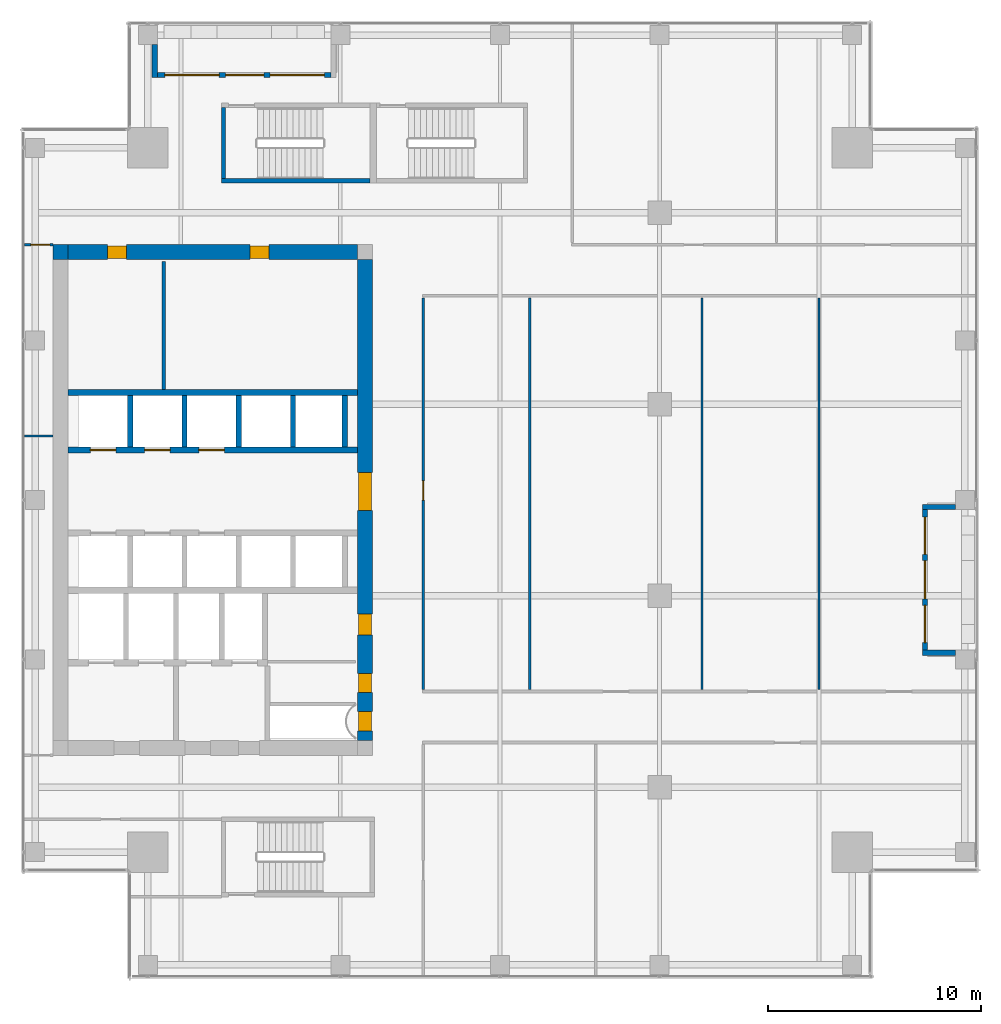
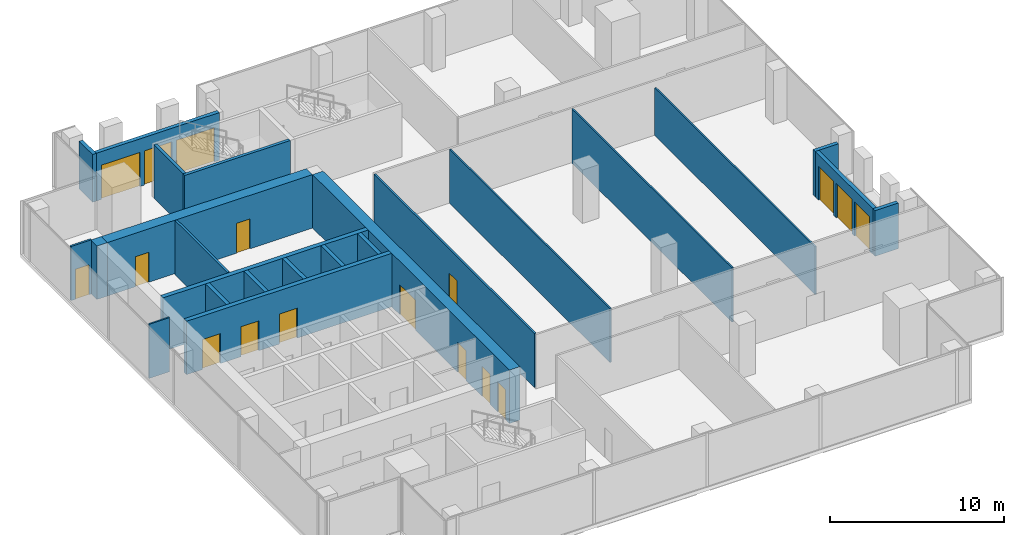
# One storey, part 31 of 35: 24 walls, 13 doors, 4 windows, 17 openings.
"""IFC4 building model written with IfcOpenShell, lengths in metres."""

from ifc_helpers import new_model, si_unit, direction, frame, frame_2d, origin, place, context, subcontext, project, spatial, rectangle, extrude, source, transform, mapped, material, layer, layer_set, type_object, element, fill, save


model = new_model("IFC4")

# Units and contexts
model_context = context("Model", 3, precision=1e-05, world=origin(), true_north=direction((0.0, 1.0)))
body_context = subcontext(model_context, "Body", "Model", "MODEL_VIEW")
ifc_project = project(units=[si_unit("LENGTHUNIT", "METRE"), si_unit("AREAUNIT", "SQUARE_METRE"), si_unit("VOLUMEUNIT", "CUBIC_METRE"), si_unit("PLANEANGLEUNIT", "RADIAN"), si_unit("MASSUNIT", "GRAM", prefix="KILO")], contexts=[model_context])

# Site, building, storey
site_placement = place(None, origin())
site = spatial("IfcSite", under=ifc_project, at=site_placement, CompositionType="ELEMENT")
building_placement = place(site_placement, origin())
building = spatial("IfcBuilding", under=site, at=building_placement, Name="Khomas Fold Tower", CompositionType="ELEMENT")
storey_placement = place(building_placement, frame((0.0, 0.0, 262.199951171875)))
storey = spatial("IfcBuildingStorey", under=building, at=storey_placement, Name="L59", CompositionType="ELEMENT", Elevation=262.199951171875)

# Walls
ifc_material_1 = material(Name="Concrete C50/60", Category="concrete")
ifc_layer_1 = layer(ifc_material_1, 0.199951171875)
ifc_layer_set_1 = layer_set([ifc_layer_1], Name="Concrete C50/60")
wall_type_1 = type_object("IfcWallType", Name="Stair wall 200", PredefinedType="SHEAR", material=ifc_layer_set_1)
shared_shape_1 = source(origin(), body_context, "Body", "SweptSolid", [
    extrude(rectangle(XDim=7.0, YDim=0.199951171875, at=frame_2d((3.5, 0.0))), origin(), (0.0, 0.0, 1.0), 3.75),
])
wall_1_placement = place(storey_placement, frame((13.89990234375, 42.0, 0.0), z_axis=(0.0, 0.0, 1.0), x_axis=(1.0, 0.0, 0.0)))
element("IfcWall", 1, at=wall_1_placement, inside=storey, type_object=wall_type_1, Name="Stair wall SW-ST1-S", PredefinedType="SHEAR", context=body_context, shape_type="MappedRepresentation", body=[
    mapped(shared_shape_1, transform((0.0, 0.0, 0.0))),
])
shared_shape_2 = source(origin(), body_context, "Body", "SweptSolid", [
    extrude(rectangle(XDim=3.349853515625, YDim=0.199951171875, at=frame_2d((1.6748046875, 0.0))), origin(), (0.0, 0.0, 1.0), 3.75),
])
wall_2_placement = place(storey_placement, frame((14.0, 42.10009765625, 0.0), z_axis=(0.0, 0.0, 1.0), x_axis=(0.0, 1.0, 0.0)))
element("IfcWall", 2, at=wall_2_placement, inside=storey, type_object=wall_type_1, Name="Stair wall SW-ST1-W", PredefinedType="SHEAR", context=body_context, shape_type="MappedRepresentation", body=[
    mapped(shared_shape_2, transform((0.0, 0.0, 0.0))),
])
ifc_material_2 = material(Name="Concrete C50/60", Category="concrete")
ifc_layer_2 = layer(ifc_material_2, 0.25)
ifc_layer_set_2 = layer_set([ifc_layer_2], Name="Concrete C50/60")
wall_type_2 = type_object("IfcWallType", Name="Shaft wall 250", PredefinedType="STANDARD", material=ifc_layer_set_2)
shared_shape_3 = source(origin(), body_context, "Body", "SweptSolid", [
    extrude(rectangle(XDim=2.39990234375, YDim=0.25, at=frame_2d((1.199951171875, 0.0))), origin(), (0.0, 0.0, 1.0), 3.75),
])
for number, where, z_axis, x_axis, name in (
    (3, (17.27490234375, 29.5, 0.0), (0.0, 0.0, 1.0), (0.0, 1.0, 0.0), "Core wall SW-HRN-MR-P1"),
    (4, (19.699951171875, 29.5, 0.0), (0.0, 0.0, 1.0), (0.0, 1.0, 0.0), "Core wall SW-HRN-MR-PE"),
    (5, (9.625, 29.5, 0.0), (0.0, 0.0, 1.0), (0.0, 1.0, 0.0), "Core wall SW-HRN-P1"),
    (6, (12.175048828125, 29.5, 0.0), (0.0, 0.0, 1.0), (0.0, 1.0, 0.0), "Core wall SW-HRN-P2"),
    (7, (14.72509765625, 29.5, 0.0), (0.0, 0.0, 1.0), (0.0, 1.0, 0.0), "Core wall SW-HRN-PE"),
):
    element("IfcWall", number, at=place(storey_placement, frame(where, z_axis=z_axis, x_axis=x_axis)), inside=storey, type_object=wall_type_2, Name=name, PredefinedType="STANDARD", context=body_context, shape_type="MappedRepresentation", body=[
        mapped(shared_shape_3, transform((0.0, 0.0, 0.0))),
    ])

# Wall, openings, doors
ifc_material_3 = material(Name="Concrete C60/75", Category="concrete")
ifc_layer_3 = layer(ifc_material_3, 0.699951171875)
ifc_layer_set_3 = layer_set([ifc_layer_3], Name="Concrete C60/75")
wall_type_3 = type_object("IfcWallType", Name="Core wall 700", PredefinedType="SHEAR", material=ifc_layer_set_3)
shared_shape_4 = source(origin(), body_context, "Body", "SweptSolid", [
    extrude(rectangle(XDim=13.60009765625, YDim=0.699951171875, at=frame_2d((6.800048828125, 0.0))), origin(), (0.0, 0.0, 1.0), 3.75),
])
wall_3_placement = place(storey_placement, frame((6.699951171875, 38.64990234375, 0.0), z_axis=(0.0, 0.0, 1.0), x_axis=(1.0, 0.0, 0.0)))
wall_3 = element("IfcWall", 8, at=wall_3_placement, inside=storey, type_object=wall_type_3, Name="Core wall CW-U-N-L49", PredefinedType="SHEAR", context=body_context, shape_type="MappedRepresentation", body=[
    mapped(shared_shape_4, transform((0.0, 0.0, 0.0))),
])
shared_shape_5 = source(origin(), body_context, "Body", "SweptSolid", [
    extrude(rectangle(XDim=0.89990234375, YDim=2.10009765625, at=frame_2d((0.449951171875, 1.050048828125))), frame((0.0, 0.35986328125, 0.0), z_axis=(0.0, -1.0, 0.0), x_axis=(1.0, 0.0, 0.0)), (0.0, 0.0, 1.0), 0.719970703125),
])
opening_1_placement = place(wall_3_placement, frame((1.85009765625, 0.0, 0.0)))
opening_1 = element("IfcOpeningElement", 9, at=opening_1_placement, cuts=wall_3, Name="Opening 0003", PredefinedType="OPENING", context=body_context, shape_type="MappedRepresentation", body=[
    mapped(shared_shape_5, transform((0.0, 0.0, 0.0))),
])
opening_2_placement = place(wall_3_placement, frame((8.550048828125, 0.0, 0.0)))
opening_2 = element("IfcOpeningElement", 10, at=opening_2_placement, cuts=wall_3, Name="Opening 0008", PredefinedType="OPENING", context=body_context, shape_type="MappedRepresentation", body=[
    mapped(shared_shape_5, transform((0.0, 0.0, 0.0))),
])
ifc_material_4 = material(Name="Steel door leaf", Category="steel")
door_type_1 = type_object("IfcDoorType", Name="Plant room door 900x2100 right-hand", OperationType="SINGLE_SWING_RIGHT", PredefinedType="DOOR", material=ifc_material_4)
shared_shape_6 = source(origin(), body_context, "Body", "SweptSolid", [
    extrude(rectangle(XDim=0.89990234375, YDim=2.10009765625, at=frame_2d((0.449951171875, 1.050048828125))), frame((0.0, 0.2998046875, 0.0), z_axis=(0.0, -1.0, 0.0), x_axis=(1.0, 0.0, 0.0)), (0.0, 0.0, 1.0), 0.599853515625),
])
door_1_placement = place(opening_1_placement, origin())
door_1 = element("IfcDoor", 11, at=door_1_placement, inside=storey, type_object=door_type_1, Name="Plant room door", OperationType="SINGLE_SWING_RIGHT", OverallHeight=2.10009765625, OverallWidth=0.89990234375, PredefinedType="DOOR", context=body_context, shape_type="MappedRepresentation", body=[
    mapped(shared_shape_6, transform((0.0, 0.0, 0.0))),
])
fill(opening_1, door_1)
ifc_material_5 = material(Name="Timber door leaf", Category="wood")
door_type_2 = type_object("IfcDoorType", Name="Door 900x2100 right-hand", OperationType="SINGLE_SWING_RIGHT", PredefinedType="DOOR", material=ifc_material_5)
door_2_placement = place(opening_2_placement, origin())
door_2 = element("IfcDoor", 12, at=door_2_placement, inside=storey, type_object=door_type_2, Name="Door", OperationType="SINGLE_SWING_RIGHT", OverallHeight=2.10009765625, OverallWidth=0.89990234375, PredefinedType="DOOR", context=body_context, shape_type="MappedRepresentation", body=[
    mapped(shared_shape_6, transform((0.0, 0.0, 0.0))),
])
fill(opening_2, door_2)

# Wall
ifc_material_6 = material(Name="Concrete C60/75", Category="concrete")
ifc_layer_4 = layer(ifc_material_6, 0.699951171875)
ifc_layer_set_4 = layer_set([ifc_layer_4], Name="Concrete C60/75")
wall_type_4 = type_object("IfcWallType", Name="Core corner wall 700", PredefinedType="SHEAR", material=ifc_layer_set_4)
shared_shape_7 = source(origin(), body_context, "Body", "SweptSolid", [
    extrude(rectangle(XDim=0.699951171875, YDim=0.699951171875, at=frame_2d((0.35009765625, 0.0))), origin(), (0.0, 0.0, 1.0), 3.75),
])
wall_4_placement = place(storey_placement, frame((6.0, 38.64990234375, 0.0), z_axis=(0.0, 0.0, 1.0), x_axis=(1.0, 0.0, 0.0)))
element("IfcWall", 13, at=wall_4_placement, inside=storey, type_object=wall_type_4, Name="Core wall CW-U-NW-L49", PredefinedType="SHEAR", context=body_context, shape_type="MappedRepresentation", body=[
    mapped(shared_shape_7, transform((0.0, 0.0, 0.0))),
])

# Wall, openings, doors
shared_shape_8 = source(origin(), body_context, "Body", "SweptSolid", [
    extrude(rectangle(XDim=22.60009765625, YDim=0.699951171875, at=frame_2d((11.300048828125, 0.0))), origin(), (0.0, 0.0, 1.0), 3.75),
])
wall_5_placement = place(storey_placement, frame((20.64990234375, 15.699951171875, 0.0), z_axis=(0.0, 0.0, 1.0), x_axis=(0.0, 1.0, 0.0)))
wall_5 = element("IfcWall", 14, at=wall_5_placement, inside=storey, type_object=wall_type_3, Name="Core wall CW-U-E-L49", PredefinedType="SHEAR", context=body_context, shape_type="MappedRepresentation", body=[
    mapped(shared_shape_8, transform((0.0, 0.0, 0.0))),
])
shared_shape_9 = source(origin(), body_context, "Body", "SweptSolid", [
    extrude(rectangle(XDim=1.800048828125, YDim=2.10009765625, at=frame_2d((0.89990234375, 1.050048828125))), frame((0.0, 0.35986328125, 0.0), z_axis=(0.0, -1.0, 0.0), x_axis=(1.0, 0.0, 0.0)), (0.0, 0.0, 1.0), 0.719970703125),
])
opening_3_placement = place(wall_5_placement, frame((10.800048828125, 0.0, 0.0)))
opening_3 = element("IfcOpeningElement", 15, at=opening_3_placement, cuts=wall_5, Name="Opening 0015", PredefinedType="OPENING", context=body_context, shape_type="MappedRepresentation", body=[
    mapped(shared_shape_9, transform((0.0, 0.0, 0.0))),
])
opening_4_placement = place(wall_5_placement, frame((0.449951171875, 0.0, 0.0)))
opening_4 = element("IfcOpeningElement", 16, at=opening_4_placement, cuts=wall_5, Name="Opening 0003", PredefinedType="OPENING", context=body_context, shape_type="MappedRepresentation", body=[
    mapped(shared_shape_5, transform((0.0, 0.0, 0.0))),
])
opening_5_placement = place(wall_5_placement, frame((2.25, 0.0, 0.0)))
opening_5 = element("IfcOpeningElement", 17, at=opening_5_placement, cuts=wall_5, Name="Opening 0008", PredefinedType="OPENING", context=body_context, shape_type="MappedRepresentation", body=[
    mapped(shared_shape_5, transform((0.0, 0.0, 0.0))),
])
shared_shape_10 = source(origin(), body_context, "Body", "SweptSolid", [
    extrude(rectangle(XDim=1.0, YDim=2.10009765625, at=frame_2d((0.5, 1.050048828125))), frame((0.0, 0.35986328125, 0.0), z_axis=(0.0, -1.0, 0.0), x_axis=(1.0, 0.0, 0.0)), (0.0, 0.0, 1.0), 0.719970703125),
])
opening_6_placement = place(wall_5_placement, frame((4.949951171875, 0.0, 0.0)))
opening_6 = element("IfcOpeningElement", 18, at=opening_6_placement, cuts=wall_5, Name="Opening 0006", PredefinedType="OPENING", context=body_context, shape_type="MappedRepresentation", body=[
    mapped(shared_shape_10, transform((0.0, 0.0, 0.0))),
])
ifc_material_7 = material(Name="Steel door leaf", Category="steel")
door_type_3 = type_object("IfcDoorType", Name="Lobby door 1800x2100", OperationType="DOUBLE_DOOR_SINGLE_SWING", PredefinedType="DOOR", material=ifc_material_7)
shared_shape_11 = source(origin(), body_context, "Body", "SweptSolid", [
    extrude(rectangle(XDim=1.800048828125, YDim=2.10009765625, at=frame_2d((0.89990234375, 1.050048828125))), frame((0.0, 0.2998046875, 0.0), z_axis=(0.0, -1.0, 0.0), x_axis=(1.0, 0.0, 0.0)), (0.0, 0.0, 1.0), 0.599853515625),
])
door_3_placement = place(opening_3_placement, origin())
door_3 = element("IfcDoor", 19, at=door_3_placement, inside=storey, type_object=door_type_3, Name="Lobby door", OperationType="DOUBLE_DOOR_SINGLE_SWING", OverallHeight=2.10009765625, OverallWidth=1.800048828125, PredefinedType="DOOR", context=body_context, shape_type="MappedRepresentation", body=[
    mapped(shared_shape_11, transform((0.0, 0.0, 0.0))),
])
fill(opening_3, door_3)
door_4_placement = place(opening_4_placement, origin())
door_4 = element("IfcDoor", 20, at=door_4_placement, inside=storey, type_object=door_type_1, Name="Plant room door", OperationType="SINGLE_SWING_RIGHT", OverallHeight=2.10009765625, OverallWidth=0.89990234375, PredefinedType="DOOR", context=body_context, shape_type="MappedRepresentation", body=[
    mapped(shared_shape_6, transform((0.0, 0.0, 0.0))),
])
fill(opening_4, door_4)
door_5_placement = place(opening_5_placement, origin())
door_5 = element("IfcDoor", 21, at=door_5_placement, inside=storey, type_object=door_type_2, Name="Door", OperationType="SINGLE_SWING_RIGHT", OverallHeight=2.10009765625, OverallWidth=0.89990234375, PredefinedType="DOOR", context=body_context, shape_type="MappedRepresentation", body=[
    mapped(shared_shape_6, transform((0.0, 0.0, 0.0))),
])
fill(opening_5, door_5)
ifc_material_8 = material(Name="Timber door leaf", Category="wood")
door_type_4 = type_object("IfcDoorType", Name="WC door 1000x2100 right-hand", OperationType="SINGLE_SWING_RIGHT", PredefinedType="DOOR", material=ifc_material_8)
shared_shape_12 = source(origin(), body_context, "Body", "SweptSolid", [
    extrude(rectangle(XDim=1.0, YDim=2.10009765625, at=frame_2d((0.5, 1.050048828125))), frame((0.0, 0.2998046875, 0.0), z_axis=(0.0, -1.0, 0.0), x_axis=(1.0, 0.0, 0.0)), (0.0, 0.0, 1.0), 0.599853515625),
])
door_6_placement = place(opening_6_placement, origin())
door_6 = element("IfcDoor", 22, at=door_6_placement, inside=storey, type_object=door_type_4, Name="WC door", OperationType="SINGLE_SWING_RIGHT", OverallHeight=2.10009765625, OverallWidth=1.0, PredefinedType="DOOR", context=body_context, shape_type="MappedRepresentation", body=[
    mapped(shared_shape_12, transform((0.0, 0.0, 0.0))),
])
fill(opening_6, door_6)

# Wall
ifc_material_9 = material(Name="Concrete C50/60", Category="concrete")
ifc_layer_5 = layer(ifc_material_9, 0.300048828125)
ifc_layer_set_5 = layer_set([ifc_layer_5], Name="Concrete C50/60")
wall_type_5 = type_object("IfcWallType", Name="Shaft wall 300", PredefinedType="STANDARD", material=ifc_layer_set_5)
shared_shape_13 = source(origin(), body_context, "Body", "SweptSolid", [
    extrude(rectangle(XDim=13.60009765625, YDim=0.300048828125, at=frame_2d((6.800048828125, 0.0))), origin(), (0.0, 0.0, 1.0), 3.75),
])
wall_6_placement = place(storey_placement, frame((6.699951171875, 32.050048828125, 0.0), z_axis=(0.0, 0.0, 1.0), x_axis=(1.0, 0.0, 0.0)))
element("IfcWall", 23, at=wall_6_placement, inside=storey, type_object=wall_type_5, Name="Core wall SW-HRN-B", PredefinedType="STANDARD", context=body_context, shape_type="MappedRepresentation", body=[
    mapped(shared_shape_13, transform((0.0, 0.0, 0.0))),
])

# Wall, openings, doors
wall_7_placement = place(storey_placement, frame((6.699951171875, 29.35009765625, 0.0), z_axis=(0.0, 0.0, 1.0), x_axis=(1.0, 0.0, 0.0)))
wall_7 = element("IfcWall", 24, at=wall_7_placement, inside=storey, type_object=wall_type_5, Name="Core wall SW-HRN-F", PredefinedType="STANDARD", context=body_context, shape_type="MappedRepresentation", body=[
    mapped(shared_shape_13, transform((0.0, 0.0, 0.0))),
])
shared_shape_14 = source(origin(), body_context, "Body", "SweptSolid", [
    extrude(rectangle(XDim=1.199951171875, YDim=2.10009765625, at=frame_2d((0.60009765625, 1.050048828125))), frame((0.0, 0.159912109375, 0.0), z_axis=(0.0, -1.0, 0.0), x_axis=(1.0, 0.0, 0.0)), (0.0, 0.0, 1.0), 0.320068359375),
])
opening_7_placement = place(wall_7_placement, frame((1.050048828125, 0.0, 0.0)))
opening_7 = element("IfcOpeningElement", 25, at=opening_7_placement, cuts=wall_7, Name="Opening LD-HR4", PredefinedType="OPENING", context=body_context, shape_type="MappedRepresentation", body=[
    mapped(shared_shape_14, transform((0.0, 0.0, 0.0))),
])
opening_8_placement = place(wall_7_placement, frame((3.60009765625, 0.0, 0.0)))
opening_8 = element("IfcOpeningElement", 26, at=opening_8_placement, cuts=wall_7, Name="Opening LD-HR5", PredefinedType="OPENING", context=body_context, shape_type="MappedRepresentation", body=[
    mapped(shared_shape_14, transform((0.0, 0.0, 0.0))),
])
opening_9_placement = place(wall_7_placement, frame((6.14990234375, 0.0, 0.0)))
opening_9 = element("IfcOpeningElement", 27, at=opening_9_placement, cuts=wall_7, Name="Opening LD-HR6", PredefinedType="OPENING", context=body_context, shape_type="MappedRepresentation", body=[
    mapped(shared_shape_14, transform((0.0, 0.0, 0.0))),
])
ifc_material_10 = material(Name="Steel door leaf", Category="steel")
door_type_5 = type_object("IfcDoorType", Name="Landing door 1200x2100", OperationType="DOUBLE_DOOR_SLIDING", PredefinedType="DOOR", material=ifc_material_10)
shared_shape_15 = source(origin(), body_context, "Body", "SweptSolid", [
    extrude(rectangle(XDim=1.199951171875, YDim=2.10009765625, at=frame_2d((0.60009765625, 1.050048828125))), frame((0.0, 0.02490234375, 0.0), z_axis=(0.0, -1.0, 0.0), x_axis=(1.0, 0.0, 0.0)), (0.0, 0.0, 1.0), 0.050048828125),
])
door_7_placement = place(opening_7_placement, origin())
door_7 = element("IfcDoor", 28, at=door_7_placement, inside=storey, type_object=door_type_5, Name="Lift landing door", OperationType="DOUBLE_DOOR_SLIDING", OverallHeight=2.10009765625, OverallWidth=1.199951171875, PredefinedType="DOOR", context=body_context, shape_type="MappedRepresentation", body=[
    mapped(shared_shape_15, transform((0.0, 0.0, 0.0))),
])
fill(opening_7, door_7)
door_8_placement = place(opening_8_placement, origin())
door_8 = element("IfcDoor", 29, at=door_8_placement, inside=storey, type_object=door_type_5, Name="Lift landing door", OperationType="DOUBLE_DOOR_SLIDING", OverallHeight=2.10009765625, OverallWidth=1.199951171875, PredefinedType="DOOR", context=body_context, shape_type="MappedRepresentation", body=[
    mapped(shared_shape_15, transform((0.0, 0.0, 0.0))),
])
fill(opening_8, door_8)
door_9_placement = place(opening_9_placement, origin())
door_9 = element("IfcDoor", 30, at=door_9_placement, inside=storey, type_object=door_type_5, Name="Lift landing door", OperationType="DOUBLE_DOOR_SLIDING", OverallHeight=2.10009765625, OverallWidth=1.199951171875, PredefinedType="DOOR", context=body_context, shape_type="MappedRepresentation", body=[
    mapped(shared_shape_15, transform((0.0, 0.0, 0.0))),
])
fill(opening_9, door_9)

# Wall, openings, door, windows
ifc_material_11 = material(Name="Natural stone", Category="masonry")
ifc_layer_6 = layer(ifc_material_11, 0.0400390625)
ifc_material_12 = material(Name="Mineral wool insulation", Category="insulation")
ifc_layer_7 = layer(ifc_material_12, 0.10009765625)
ifc_material_13 = material(Name="Masonry", Category="masonry")
ifc_layer_8 = layer(ifc_material_13, 0.110107421875)
ifc_layer_set_6 = layer_set([ifc_layer_6, ifc_layer_7, ifc_layer_8], Name="Stone-faced insulated masonry")
wall_type_6 = type_object("IfcWallType", Name="BL-Balcony wall", PredefinedType="SOLIDWALL", material=ifc_layer_set_6)
shared_shape_16 = source(origin(), body_context, "Body", "SweptSolid", [
    extrude(rectangle(XDim=8.150146484375, YDim=0.25, at=frame_2d((4.0751953125, 0.0))), origin(), (0.0, 0.0, 1.0), 3.35009765625),
])
wall_8_placement = place(storey_placement, frame((10.89990234375, 46.97509765625, 0.0), z_axis=(0.0, 0.0, 1.0), x_axis=(1.0, 0.0, 0.0)))
wall_8 = element("IfcWall", 31, at=wall_8_placement, inside=storey, type_object=wall_type_6, Name="Balcony wall BAL-L59-N1", PredefinedType="SOLIDWALL", context=body_context, shape_type="MappedRepresentation", body=[
    mapped(shared_shape_16, transform((0.0, 0.0, 0.0))),
])
shared_shape_17 = source(origin(), body_context, "Body", "SweptSolid", [
    extrude(rectangle(XDim=2.550048828125, YDim=2.39990234375, at=frame_2d((1.27490234375, 1.199951171875))), frame((0.0, 0.135009765625, 0.0), z_axis=(0.0, -1.0, 0.0), x_axis=(1.0, 0.0, 0.0)), (0.0, 0.0, 1.0), 0.27001953125),
])
opening_10_placement = place(wall_8_placement, frame((0.35009765625, 0.0, 0.0)))
opening_10 = element("IfcOpeningElement", 32, at=opening_10_placement, cuts=wall_8, Name="Opening BL-W4", PredefinedType="OPENING", context=body_context, shape_type="MappedRepresentation", body=[
    mapped(shared_shape_17, transform((0.0, 0.0, 0.0))),
])
opening_11_placement = place(wall_8_placement, frame((5.300048828125, 0.0, 0.0)))
opening_11 = element("IfcOpeningElement", 33, at=opening_11_placement, cuts=wall_8, Name="Opening BL-W4", PredefinedType="OPENING", context=body_context, shape_type="MappedRepresentation", body=[
    mapped(shared_shape_17, transform((0.0, 0.0, 0.0))),
])
shared_shape_18 = source(origin(), body_context, "Body", "SweptSolid", [
    extrude(rectangle(XDim=1.800048828125, YDim=2.39990234375, at=frame_2d((0.89990234375, 1.199951171875))), frame((0.0, 0.135009765625, 0.0), z_axis=(0.0, -1.0, 0.0), x_axis=(1.0, 0.0, 0.0)), (0.0, 0.0, 1.0), 0.27001953125),
])
opening_12_placement = place(wall_8_placement, frame((3.199951171875, 0.0, 0.0)))
opening_12 = element("IfcOpeningElement", 34, at=opening_12_placement, cuts=wall_8, Name="Opening BD592", PredefinedType="OPENING", context=body_context, shape_type="MappedRepresentation", body=[
    mapped(shared_shape_18, transform((0.0, 0.0, 0.0))),
])
ifc_material_14 = material(Name="Aluminium framed double glazing", Category="aluminium")
door_type_6 = type_object("IfcDoorType", Name="BL-Glazed balcony door 1800 x 2400", OperationType="DOUBLE_DOOR_DOUBLE_SWING", PredefinedType="DOOR", material=ifc_material_14)
shared_shape_19 = source(origin(), body_context, "Body", "SweptSolid", [
    extrude(rectangle(XDim=1.800048828125, YDim=2.39990234375, at=frame_2d((0.89990234375, 1.199951171875))), frame((0.0, 0.02490234375, 0.0), z_axis=(0.0, -1.0, 0.0), x_axis=(1.0, 0.0, 0.0)), (0.0, 0.0, 1.0), 0.050048828125),
])
door_10_placement = place(opening_12_placement, origin())
door_10 = element("IfcDoor", 35, at=door_10_placement, inside=storey, type_object=door_type_6, Name="Balcony door BD592", OperationType="DOUBLE_DOOR_DOUBLE_SWING", OverallHeight=2.39990234375, OverallWidth=1.800048828125, PredefinedType="DOOR", context=body_context, shape_type="MappedRepresentation", body=[
    mapped(shared_shape_19, transform((0.0, 0.0, 0.0))),
])
fill(opening_12, door_10)
ifc_material_15 = material(Name="Aluminium framed double glazing", Category="aluminium")
window_type_1 = type_object("IfcWindowType", Name="BL-Fixed glazing 2550 x 2400", PartitioningType="SINGLE_PANEL", PredefinedType="WINDOW", material=ifc_material_15)
shared_shape_20 = source(origin(), body_context, "Body", "SweptSolid", [
    extrude(rectangle(XDim=2.550048828125, YDim=2.39990234375, at=frame_2d((1.27490234375, 1.199951171875))), frame((0.0, 0.030029296875, 0.0), z_axis=(0.0, -1.0, 0.0), x_axis=(1.0, 0.0, 0.0)), (0.0, 0.0, 1.0), 0.06005859375),
])
window_1_placement = place(opening_10_placement, origin())
window_1 = element("IfcWindow", 36, at=window_1_placement, inside=storey, type_object=window_type_1, Name="Balcony glazing BAL-L59-N1-1", OverallHeight=2.39990234375, OverallWidth=2.550048828125, PartitioningType="SINGLE_PANEL", PredefinedType="WINDOW", context=body_context, shape_type="MappedRepresentation", body=[
    mapped(shared_shape_20, transform((0.0, 0.0, 0.0))),
])
fill(opening_10, window_1)
window_2_placement = place(opening_11_placement, origin())
window_2 = element("IfcWindow", 37, at=window_2_placement, inside=storey, type_object=window_type_1, Name="Balcony glazing BAL-L59-N1-2", OverallHeight=2.39990234375, OverallWidth=2.550048828125, PartitioningType="SINGLE_PANEL", PredefinedType="WINDOW", context=body_context, shape_type="MappedRepresentation", body=[
    mapped(shared_shape_20, transform((0.0, 0.0, 0.0))),
])
fill(opening_11, window_2)

# Wall
shared_shape_21 = source(origin(), body_context, "Body", "SweptSolid", [
    extrude(rectangle(XDim=1.5498046875, YDim=0.25, at=frame_2d((0.77490234375, 0.0))), origin(), (0.0, 0.0, 1.0), 3.35009765625),
])
wall_9_placement = place(storey_placement, frame((10.77490234375, 48.39990234375, 0.0), z_axis=(0.0, 0.0, 1.0), x_axis=(0.0, -1.0, 0.0)))
element("IfcWall", 38, at=wall_9_placement, inside=storey, type_object=wall_type_6, Name="Balcony return wall BAL-L59-N1-lo", PredefinedType="SOLIDWALL", context=body_context, shape_type="MappedRepresentation", body=[
    mapped(shared_shape_21, transform((0.0, 0.0, 0.0))),
])

# Wall, openings, door, windows
shared_shape_22 = source(origin(), body_context, "Body", "SweptSolid", [
    extrude(rectangle(XDim=6.60009765625, YDim=0.25, at=frame_2d((3.300048828125, 0.0))), origin(), (0.0, 0.0, 1.0), 3.199951171875),
])
wall_10_placement = place(storey_placement, frame((46.97509765625, 19.949951171875, 0.0), z_axis=(0.0, 0.0, 1.0), x_axis=(0.0, 1.0, 0.0)))
wall_10 = element("IfcWall", 39, at=wall_10_placement, inside=storey, type_object=wall_type_6, Name="Balcony wall BAL-L59-E2", PredefinedType="SOLIDWALL", context=body_context, shape_type="MappedRepresentation", body=[
    mapped(shared_shape_22, transform((0.0, 0.0, 0.0))),
])
shared_shape_23 = source(origin(), body_context, "Body", "SweptSolid", [
    extrude(rectangle(XDim=1.75, YDim=2.39990234375, at=frame_2d((0.875, 1.199951171875))), frame((0.0, 0.135009765625, 0.0), z_axis=(0.0, -1.0, 0.0), x_axis=(1.0, 0.0, 0.0)), (0.0, 0.0, 1.0), 0.27001953125),
])
opening_13_placement = place(wall_10_placement, frame((0.35009765625, 0.0, 0.0)))
opening_13 = element("IfcOpeningElement", 40, at=opening_13_placement, cuts=wall_10, Name="Opening BL-W3", PredefinedType="OPENING", context=body_context, shape_type="MappedRepresentation", body=[
    mapped(shared_shape_23, transform((0.0, 0.0, 0.0))),
])
opening_14_placement = place(wall_10_placement, frame((4.5, 0.0, 0.0)))
opening_14 = element("IfcOpeningElement", 41, at=opening_14_placement, cuts=wall_10, Name="Opening BL-W3", PredefinedType="OPENING", context=body_context, shape_type="MappedRepresentation", body=[
    mapped(shared_shape_23, transform((0.0, 0.0, 0.0))),
])
opening_15_placement = place(wall_10_placement, frame((2.39990234375, 0.0, 0.0)))
opening_15 = element("IfcOpeningElement", 42, at=opening_15_placement, cuts=wall_10, Name="Opening BD591", PredefinedType="OPENING", context=body_context, shape_type="MappedRepresentation", body=[
    mapped(shared_shape_18, transform((0.0, 0.0, 0.0))),
])
door_11_placement = place(opening_15_placement, origin())
door_11 = element("IfcDoor", 43, at=door_11_placement, inside=storey, type_object=door_type_6, Name="Balcony door BD591", OperationType="DOUBLE_DOOR_DOUBLE_SWING", OverallHeight=2.39990234375, OverallWidth=1.800048828125, PredefinedType="DOOR", context=body_context, shape_type="MappedRepresentation", body=[
    mapped(shared_shape_19, transform((0.0, 0.0, 0.0))),
])
fill(opening_15, door_11)
ifc_material_16 = material(Name="Aluminium framed double glazing", Category="aluminium")
window_type_2 = type_object("IfcWindowType", Name="BL-Fixed glazing 1750 x 2400", PartitioningType="SINGLE_PANEL", PredefinedType="WINDOW", material=ifc_material_16)
shared_shape_24 = source(origin(), body_context, "Body", "SweptSolid", [
    extrude(rectangle(XDim=1.75, YDim=2.39990234375, at=frame_2d((0.875, 1.199951171875))), frame((0.0, 0.030029296875, 0.0), z_axis=(0.0, -1.0, 0.0), x_axis=(1.0, 0.0, 0.0)), (0.0, 0.0, 1.0), 0.06005859375),
])
window_3_placement = place(opening_13_placement, origin())
window_3 = element("IfcWindow", 44, at=window_3_placement, inside=storey, type_object=window_type_2, Name="Balcony glazing BAL-L59-E2-1", OverallHeight=2.39990234375, OverallWidth=1.75, PartitioningType="SINGLE_PANEL", PredefinedType="WINDOW", context=body_context, shape_type="MappedRepresentation", body=[
    mapped(shared_shape_24, transform((0.0, 0.0, 0.0))),
])
fill(opening_13, window_3)
window_4_placement = place(opening_14_placement, origin())
window_4 = element("IfcWindow", 45, at=window_4_placement, inside=storey, type_object=window_type_2, Name="Balcony glazing BAL-L59-E2-2", OverallHeight=2.39990234375, OverallWidth=1.75, PartitioningType="SINGLE_PANEL", PredefinedType="WINDOW", context=body_context, shape_type="MappedRepresentation", body=[
    mapped(shared_shape_24, transform((0.0, 0.0, 0.0))),
])
fill(opening_14, window_4)

# Walls
shared_shape_25 = source(origin(), body_context, "Body", "SweptSolid", [
    extrude(rectangle(XDim=1.5498046875, YDim=0.25, at=frame_2d((0.77490234375, 0.0))), origin(), (0.0, 0.0, 1.0), 3.199951171875),
])
for number, where, z_axis, x_axis, name in (
    (46, (48.39990234375, 19.824951171875, 0.0), (0.0, 0.0, 1.0), (-1.0, 0.0, 0.0), "Balcony return wall BAL-L59-E2-lo"),
    (47, (48.39990234375, 26.675048828125, 0.0), (0.0, 0.0, 1.0), (-1.0, 0.0, 0.0), "Balcony return wall BAL-L59-E2-hi"),
):
    element("IfcWall", number, at=place(storey_placement, frame(where, z_axis=z_axis, x_axis=x_axis)), inside=storey, type_object=wall_type_6, Name=name, PredefinedType="SOLIDWALL", context=body_context, shape_type="MappedRepresentation", body=[
        mapped(shared_shape_25, transform((0.0, 0.0, 0.0))),
    ])
ifc_material_17 = material(Name="Plasterboard fire partition")
ifc_layer_9 = layer(ifc_material_17, 0.14990234375)
ifc_layer_set_7 = layer_set([ifc_layer_9], Name="Plasterboard fire partition")
wall_type_7 = type_object("IfcWallType", Name="Plant room wall PW3 150", PredefinedType="PARTITIONING", material=ifc_layer_set_7)
shared_shape_26 = source(origin(), body_context, "Body", "SweptSolid", [
    extrude(rectangle(XDim=6.0, YDim=0.14990234375, at=frame_2d((3.0, 0.0))), origin(), (0.0, 0.0, 1.0), 3.800048828125),
])
wall_11_placement = place(storey_placement, frame((11.199951171875, 32.199951171875, 0.0), z_axis=(0.0, 0.0, 1.0), x_axis=(0.0, 1.0, 0.0)))
element("IfcWall", 48, at=wall_11_placement, inside=storey, type_object=wall_type_7, Name="Plant room wall", PredefinedType="PARTITIONING", context=body_context, shape_type="MappedRepresentation", body=[
    mapped(shared_shape_26, transform((0.0, 0.0, 0.0))),
])

# Wall, opening, door
ifc_material_18 = material(Name="Plasterboard partition")
ifc_layer_10 = layer(ifc_material_18, 0.125)
ifc_layer_set_8 = layer_set([ifc_layer_10], Name="Plasterboard partition")
wall_type_8 = type_object("IfcWallType", Name="Partition PW2 125", PredefinedType="PARTITIONING", material=ifc_layer_set_8)
shared_shape_27 = source(origin(), body_context, "Body", "SweptSolid", [
    extrude(rectangle(XDim=1.35009765625, YDim=0.125, at=frame_2d((0.675048828125, 0.0))), origin(), (0.0, 0.0, 1.0), 3.800048828125),
])
wall_12_placement = place(storey_placement, frame((4.64990234375, 39.0, 0.0), z_axis=(0.0, 0.0, 1.0), x_axis=(1.0, 0.0, 0.0)))
wall_12 = element("IfcWall", 49, at=wall_12_placement, inside=storey, type_object=wall_type_8, Name="Partition", PredefinedType="PARTITIONING", context=body_context, shape_type="MappedRepresentation", body=[
    mapped(shared_shape_27, transform((0.0, 0.0, 0.0))),
])
shared_shape_28 = source(origin(), body_context, "Body", "SweptSolid", [
    extrude(rectangle(XDim=0.89990234375, YDim=2.10009765625, at=frame_2d((0.449951171875, 1.050048828125))), frame((0.0, 0.072509765625, 0.0), z_axis=(0.0, -1.0, 0.0), x_axis=(1.0, 0.0, 0.0)), (0.0, 0.0, 1.0), 0.14501953125),
])
opening_16_placement = place(wall_12_placement, frame((0.300048828125, 0.0, 0.0)))
opening_16 = element("IfcOpeningElement", 50, at=opening_16_placement, cuts=wall_12, Name="Opening 0008", PredefinedType="OPENING", context=body_context, shape_type="MappedRepresentation", body=[
    mapped(shared_shape_28, transform((0.0, 0.0, 0.0))),
])
shared_shape_29 = source(origin(), body_context, "Body", "SweptSolid", [
    extrude(rectangle(XDim=0.89990234375, YDim=2.10009765625, at=frame_2d((0.449951171875, 1.050048828125))), frame((0.0, 0.02490234375, 0.0), z_axis=(0.0, -1.0, 0.0), x_axis=(1.0, 0.0, 0.0)), (0.0, 0.0, 1.0), 0.050048828125),
])
door_12_placement = place(opening_16_placement, origin())
door_12 = element("IfcDoor", 51, at=door_12_placement, inside=storey, type_object=door_type_2, Name="Door", OperationType="SINGLE_SWING_RIGHT", OverallHeight=2.10009765625, OverallWidth=0.89990234375, PredefinedType="DOOR", context=body_context, shape_type="MappedRepresentation", body=[
    mapped(shared_shape_29, transform((0.0, 0.0, 0.0))),
])
fill(opening_16, door_12)

shared_shape_30 = source(origin(), body_context, "Body", "SweptSolid", [
    extrude(rectangle(XDim=18.39990234375, YDim=0.125, at=frame_2d((9.199951171875, 0.0))), origin(), (0.0, 0.0, 1.0), 3.800048828125),
])
wall_13_placement = place(storey_placement, frame((23.39990234375, 18.10009765625, 0.0), z_axis=(0.0, 0.0, 1.0), x_axis=(0.0, 1.0, 0.0)))
wall_13 = element("IfcWall", 52, at=wall_13_placement, inside=storey, type_object=wall_type_8, Name="Partition", PredefinedType="PARTITIONING", context=body_context, shape_type="MappedRepresentation", body=[
    mapped(shared_shape_30, transform((0.0, 0.0, 0.0))),
])
opening_17_placement = place(wall_13_placement, frame((8.89990234375, 0.0, 0.0)))
opening_17 = element("IfcOpeningElement", 53, at=opening_17_placement, cuts=wall_13, Name="Opening 0008", PredefinedType="OPENING", context=body_context, shape_type="MappedRepresentation", body=[
    mapped(shared_shape_28, transform((0.0, 0.0, 0.0))),
])
door_13_placement = place(opening_17_placement, origin())
door_13 = element("IfcDoor", 54, at=door_13_placement, inside=storey, type_object=door_type_2, Name="Door", OperationType="SINGLE_SWING_RIGHT", OverallHeight=2.10009765625, OverallWidth=0.89990234375, PredefinedType="DOOR", context=body_context, shape_type="MappedRepresentation", body=[
    mapped(shared_shape_29, transform((0.0, 0.0, 0.0))),
])
fill(opening_17, door_13)

# Walls
ifc_material_19 = material(Name="Plasterboard partition")
ifc_layer_11 = layer(ifc_material_19, 0.10009765625)
ifc_layer_set_9 = layer_set([ifc_layer_11], Name="Plasterboard partition")
wall_type_9 = type_object("IfcWallType", Name="Partition PW1 100", PredefinedType="PARTITIONING", material=ifc_layer_set_9)
shared_shape_31 = source(origin(), body_context, "Body", "SweptSolid", [
    extrude(rectangle(XDim=18.39990234375, YDim=0.10009765625, at=frame_2d((9.199951171875, 0.0))), origin(), (0.0, 0.0, 1.0), 3.800048828125),
])
for number, where, z_axis, x_axis, name in (
    (55, (28.39990234375, 18.10009765625, 0.0), (0.0, 0.0, 1.0), (0.0, 1.0, 0.0), "Partition"),
    (56, (36.5, 18.10009765625, 0.0), (0.0, 0.0, 1.0), (0.0, 1.0, 0.0), "Partition"),
):
    element("IfcWall", number, at=place(storey_placement, frame(where, z_axis=z_axis, x_axis=x_axis)), inside=storey, type_object=wall_type_9, Name=name, PredefinedType="PARTITIONING", context=body_context, shape_type="MappedRepresentation", body=[
        mapped(shared_shape_31, transform((0.0, 0.0, 0.0))),
    ])
shared_shape_32 = source(origin(), body_context, "Body", "SweptSolid", [
    extrude(rectangle(XDim=1.35009765625, YDim=0.10009765625, at=frame_2d((0.675048828125, 0.0))), origin(), (0.0, 0.0, 1.0), 3.800048828125),
])
wall_14_placement = place(storey_placement, frame((4.64990234375, 30.0, 0.0), z_axis=(0.0, 0.0, 1.0), x_axis=(1.0, 0.0, 0.0)))
element("IfcWall", 57, at=wall_14_placement, inside=storey, type_object=wall_type_9, Name="Partition", PredefinedType="PARTITIONING", context=body_context, shape_type="MappedRepresentation", body=[
    mapped(shared_shape_32, transform((0.0, 0.0, 0.0))),
])
shared_shape_33 = source(origin(), body_context, "Body", "SweptSolid", [
    extrude(rectangle(XDim=18.39990234375, YDim=0.10009765625, at=frame_2d((9.199951171875, 0.0))), origin(), (0.0, 0.0, 1.0), 3.35009765625),
])
wall_15_placement = place(storey_placement, frame((42.0, 18.10009765625, 0.0), z_axis=(0.0, 0.0, 1.0), x_axis=(0.0, 1.0, 0.0)))
element("IfcWall", 58, at=wall_15_placement, inside=storey, type_object=wall_type_9, Name="Partition", PredefinedType="PARTITIONING", context=body_context, shape_type="MappedRepresentation", body=[
    mapped(shared_shape_33, transform((0.0, 0.0, 0.0))),
])

save(model, "model.ifc")
